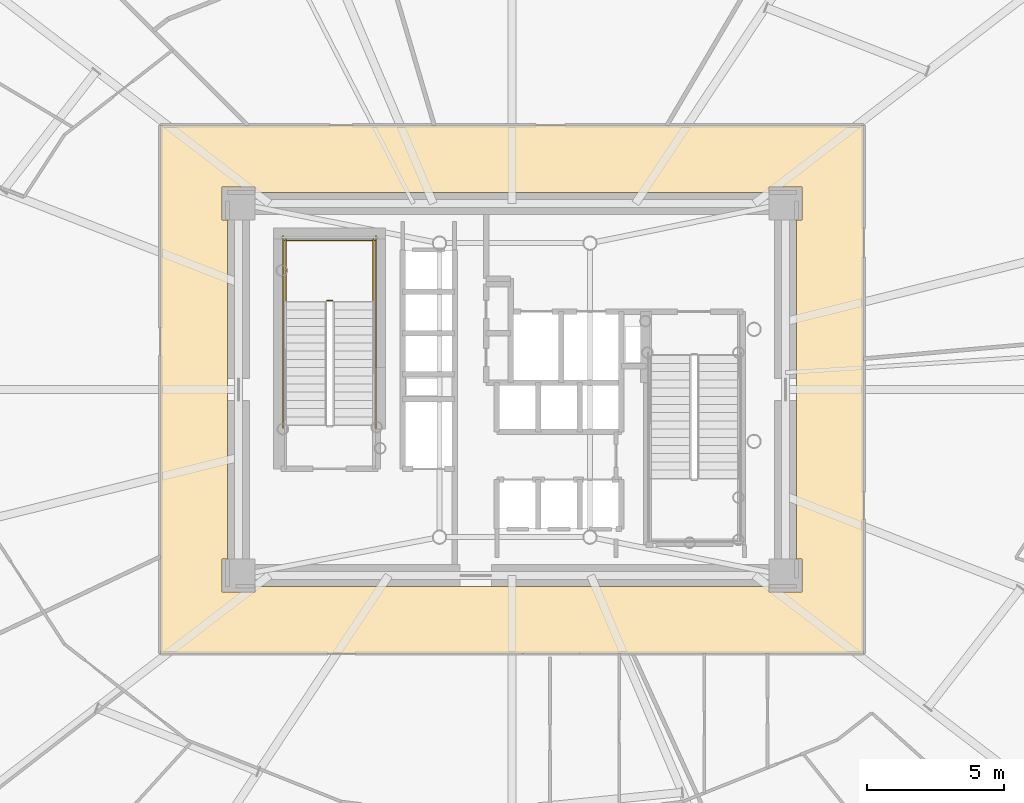
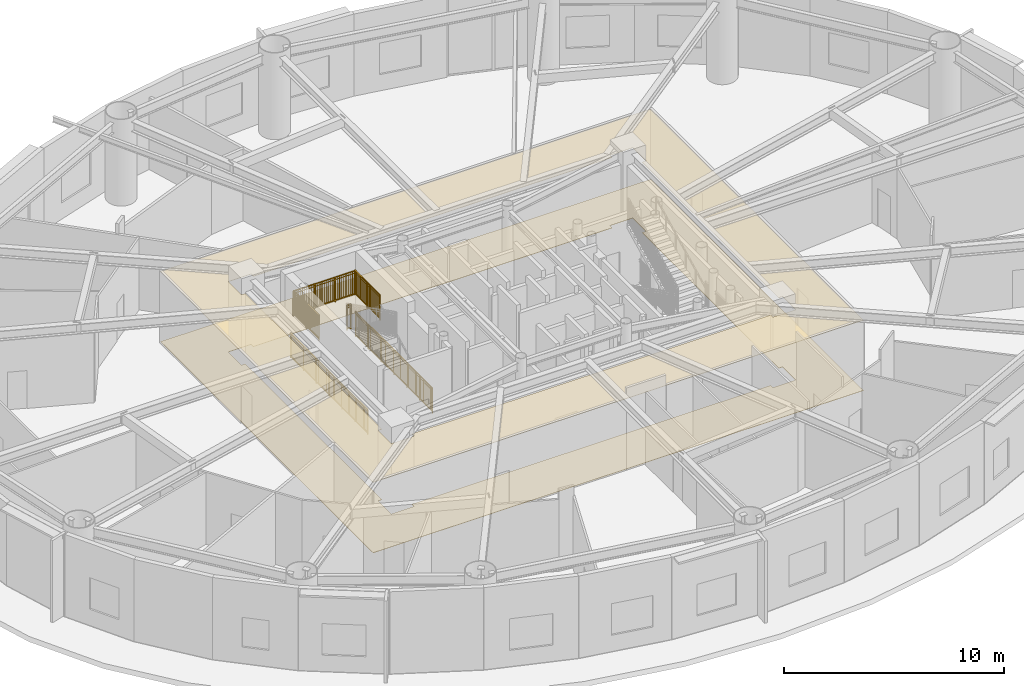
# One storey, part 15 of 19: 6 railings, 2 coverings.
"""IFC4 building model written with IfcOpenShell, lengths in metres."""

from ifc_helpers import new_model, si_unit, direction, frame, origin, origin_2d, place, context, subcontext, project, spatial, polyline, rectangle, outline, extrude, source, transform, mapped, material, layer, layer_set, type_object, element, save


model = new_model("IFC4")

# Units and contexts
model_context = context("Model", 3, precision=1e-05, world=origin(), true_north=direction((0.0, 1.0)))
body_context = subcontext(model_context, "Body", "Model", "MODEL_VIEW")
ifc_project = project(units=[si_unit("LENGTHUNIT", "METRE"), si_unit("AREAUNIT", "SQUARE_METRE"), si_unit("VOLUMEUNIT", "CUBIC_METRE"), si_unit("PLANEANGLEUNIT", "RADIAN"), si_unit("MASSUNIT", "GRAM", prefix="KILO")], contexts=[model_context])

# Site, building, storey
site_placement = place(None, origin())
site = spatial("IfcSite", under=ifc_project, at=site_placement, CompositionType="ELEMENT")
building_placement = place(site_placement, origin())
building = spatial("IfcBuilding", under=site, at=building_placement, Name="Linh Dai School and Residence Tower", CompositionType="ELEMENT")
storey_placement = place(building_placement, frame((0.0, 0.0, 92.39990234375)))
storey = spatial("IfcBuildingStorey", under=building, at=storey_placement, Name="L21", CompositionType="ELEMENT", Elevation=92.39990234375)

# Coverings
ifc_material_1 = material(Name="Mineral Fibre Acoustic Suspended Ceiling", Category="masonry")
ifc_layer_1 = layer(ifc_material_1, 0.02001953125)
ifc_layer_set_1 = layer_set([ifc_layer_1], Name="Mineral Fibre Acoustic Suspended Ceiling")
covering_type_1 = type_object("IfcCoveringType", Name="COV-CEIL-AC-20", PredefinedType="CEILING", material=ifc_layer_set_1)
covering_1_placement = place(storey_placement, frame((0.0, 0.0, 3.900146484375)))
element("IfcCovering", 1, at=covering_1_placement, inside=storey, type_object=covering_type_1, Name="L21 Residential Floor Corridor Suspended Ceiling", PredefinedType="CEILING", context=body_context, shape_type="SweptSolid", body=[
    extrude(outline(polyline([(48.85009765625, 36.64990234375), (48.85009765625, 17.35009765625), (23.14990234375, 17.35009765625), (23.14990234375, 36.64990234375), (48.85009765625, 36.64990234375)]), holes=[polyline([(26.60009765625, 34.199951171875), (26.60009765625, 34.39990234375), (25.39990234375, 34.39990234375), (25.39990234375, 33.199951171875), (25.60009765625, 33.199951171875), (25.60009765625, 20.800048828125), (25.39990234375, 20.800048828125), (25.39990234375, 19.60009765625), (26.60009765625, 19.60009765625), (26.60009765625, 19.800048828125), (45.39990234375, 19.800048828125), (45.39990234375, 19.60009765625), (46.60009765625, 19.60009765625), (46.60009765625, 20.800048828125), (46.39990234375, 20.800048828125), (46.39990234375, 33.199951171875), (46.60009765625, 33.199951171875), (46.60009765625, 34.39990234375), (45.39990234375, 34.39990234375), (45.39990234375, 34.199951171875), (26.60009765625, 34.199951171875)])]), origin(), (0.0, 0.0, 1.0), 0.02001953125),
])
ifc_material_2 = material(Name="Polished Terrazzo Floor Finish", Category="masonry")
ifc_layer_2 = layer(ifc_material_2, 0.02490234375)
ifc_layer_set_2 = layer_set([ifc_layer_2], Name="Polished Terrazzo Floor Finish")
covering_type_2 = type_object("IfcCoveringType", Name="COV-FLR-TRZ-25", PredefinedType="FLOORING", material=ifc_layer_set_2)
covering_2_placement = place(storey_placement, origin())
element("IfcCovering", 2, at=covering_2_placement, inside=storey, type_object=covering_type_2, Name="L21 Residential Floor Corridor Floor Finish", PredefinedType="FLOORING", context=body_context, shape_type="SweptSolid", body=[
    extrude(outline(polyline([(48.85009765625, 36.64990234375), (48.85009765625, 17.35009765625), (23.14990234375, 17.35009765625), (23.14990234375, 36.64990234375), (48.85009765625, 36.64990234375)]), holes=[polyline([(26.60009765625, 34.199951171875), (26.60009765625, 34.39990234375), (25.39990234375, 34.39990234375), (25.39990234375, 33.199951171875), (25.60009765625, 33.199951171875), (25.60009765625, 20.800048828125), (25.39990234375, 20.800048828125), (25.39990234375, 19.60009765625), (26.60009765625, 19.60009765625), (26.60009765625, 19.800048828125), (45.39990234375, 19.800048828125), (45.39990234375, 19.60009765625), (46.60009765625, 19.60009765625), (46.60009765625, 20.800048828125), (46.39990234375, 20.800048828125), (46.39990234375, 33.199951171875), (46.60009765625, 33.199951171875), (46.60009765625, 34.39990234375), (45.39990234375, 34.39990234375), (45.39990234375, 34.199951171875), (26.60009765625, 34.199951171875)])]), origin(), (0.0, 0.0, 1.0), 0.02001953125),
])

# Railings
ifc_material_3 = material(Name="Structural Steel S355JR", Category="steel")
railing_type = type_object("IfcRailingType", Name="RL-ST-GUARD-1400", PredefinedType="GUARDRAIL", material=ifc_material_3)
shared_shape_1 = source(origin(), body_context, "Body", "SweptSolid", [
    extrude(rectangle(XDim=0.048095703125, YDim=0.048095703125, at=origin_2d()), frame((0.0, 0.0, 1.3759765625), z_axis=(-1.0, 0.0, 0.0), x_axis=(0.0, -1.0, 0.0)), (0.0, 0.0, 1.0), 0.199951171875),
    extrude(rectangle(XDim=0.048095703125, YDim=0.048095703125, at=origin_2d()), frame((0.0, 0.0, 0.10009765625), z_axis=(-1.0, 0.0, 0.0), x_axis=(0.0, -1.0, 0.0)), (0.0, 0.0, 1.0), 0.199951171875),
    extrude(rectangle(XDim=0.030029296875, YDim=0.030029296875, at=origin_2d()), frame((0.0, 0.0, 1.239990234375), z_axis=(-1.0, 0.0, 0.0), x_axis=(0.0, -1.0, 0.0)), (0.0, 0.0, 1.0), 0.199951171875),
    extrude(rectangle(XDim=0.0419921875, YDim=0.0419921875, at=origin_2d()), origin(), (0.0, 0.0, 1.0), 1.3759765625),
    extrude(rectangle(XDim=0.0419921875, YDim=0.0419921875, at=origin_2d()), frame((-0.199951171875, 0.0, 0.0)), (0.0, 0.0, 1.0), 1.3759765625),
])
railing_1_placement = place(storey_placement, frame((29.429931640625, 30.25, 2.400146484375)))
element("IfcRailing", 3, at=railing_1_placement, inside=storey, type_object=railing_type, Name="L21 ST1 stair guard 2", PredefinedType="GUARDRAIL", context=body_context, shape_type="MappedRepresentation", body=[
    mapped(shared_shape_1, transform((0.0, 0.0, 0.0), x_axis=(1.0, 0.0, 0.0), y_axis=(0.0, 1.0, 0.0), z_axis=(0.0, 0.0, 1.0), scale=1.0)),
])
shared_shape_2 = source(origin(), body_context, "Body", "SweptSolid", [
    extrude(rectangle(XDim=0.048095703125, YDim=0.048095703125, at=origin_2d()), frame((0.0, 0.0, 1.3759765625), z_axis=(-1.0, 0.0, 0.0), x_axis=(0.0, -1.0, 0.0)), (0.0, 0.0, 1.0), 3.300048828125),
    extrude(rectangle(XDim=0.048095703125, YDim=0.048095703125, at=origin_2d()), frame((0.0, 0.0, 0.10009765625), z_axis=(-1.0, 0.0, 0.0), x_axis=(0.0, -1.0, 0.0)), (0.0, 0.0, 1.0), 3.300048828125),
    extrude(rectangle(XDim=0.030029296875, YDim=0.030029296875, at=origin_2d()), frame((0.0, 0.0, 1.239990234375), z_axis=(-1.0, 0.0, 0.0), x_axis=(0.0, -1.0, 0.0)), (0.0, 0.0, 1.0), 3.300048828125),
    extrude(rectangle(XDim=0.02001953125, YDim=0.02001953125, at=origin_2d()), frame((-0.09716796875, 0.0, 0.10009765625)), (0.0, 0.0, 1.0), 1.251708984375),
    extrude(rectangle(XDim=0.02001953125, YDim=0.02001953125, at=origin_2d()), frame((-0.194091796875, 0.0, 0.10009765625)), (0.0, 0.0, 1.0), 1.251708984375),
    extrude(rectangle(XDim=0.02001953125, YDim=0.02001953125, at=origin_2d()), frame((-0.291259765625, 0.0, 0.10009765625)), (0.0, 0.0, 1.0), 1.251708984375),
    extrude(rectangle(XDim=0.02001953125, YDim=0.02001953125, at=origin_2d()), frame((-0.38818359375, 0.0, 0.10009765625)), (0.0, 0.0, 1.0), 1.251708984375),
    extrude(rectangle(XDim=0.02001953125, YDim=0.02001953125, at=origin_2d()), frame((-0.4853515625, 0.0, 0.10009765625)), (0.0, 0.0, 1.0), 1.251708984375),
    extrude(rectangle(XDim=0.02001953125, YDim=0.02001953125, at=origin_2d()), frame((-0.582275390625, 0.0, 0.10009765625)), (0.0, 0.0, 1.0), 1.251708984375),
    extrude(rectangle(XDim=0.02001953125, YDim=0.02001953125, at=origin_2d()), frame((-0.679443359375, 0.0, 0.10009765625)), (0.0, 0.0, 1.0), 1.251708984375),
    extrude(rectangle(XDim=0.02001953125, YDim=0.02001953125, at=origin_2d()), frame((-0.7763671875, 0.0, 0.10009765625)), (0.0, 0.0, 1.0), 1.251708984375),
    extrude(rectangle(XDim=0.02001953125, YDim=0.02001953125, at=origin_2d()), frame((-0.87353515625, 0.0, 0.10009765625)), (0.0, 0.0, 1.0), 1.251708984375),
    extrude(rectangle(XDim=0.02001953125, YDim=0.02001953125, at=origin_2d()), frame((-0.970703125, 0.0, 0.10009765625)), (0.0, 0.0, 1.0), 1.251708984375),
    extrude(rectangle(XDim=0.02001953125, YDim=0.02001953125, at=origin_2d()), frame((-1.164794921875, 0.0, 0.10009765625)), (0.0, 0.0, 1.0), 1.251708984375),
    extrude(rectangle(XDim=0.02001953125, YDim=0.02001953125, at=origin_2d()), frame((-1.26171875, 0.0, 0.10009765625)), (0.0, 0.0, 1.0), 1.251708984375),
    extrude(rectangle(XDim=0.02001953125, YDim=0.02001953125, at=origin_2d()), frame((-1.35888671875, 0.0, 0.10009765625)), (0.0, 0.0, 1.0), 1.251708984375),
    extrude(rectangle(XDim=0.02001953125, YDim=0.02001953125, at=origin_2d()), frame((-1.455810546875, 0.0, 0.10009765625)), (0.0, 0.0, 1.0), 1.251708984375),
    extrude(rectangle(XDim=0.02001953125, YDim=0.02001953125, at=origin_2d()), frame((-1.552978515625, 0.0, 0.10009765625)), (0.0, 0.0, 1.0), 1.251708984375),
    extrude(rectangle(XDim=0.02001953125, YDim=0.02001953125, at=origin_2d()), frame((-1.64990234375, 0.0, 0.10009765625)), (0.0, 0.0, 1.0), 1.251708984375),
    extrude(rectangle(XDim=0.02001953125, YDim=0.02001953125, at=origin_2d()), frame((-1.7470703125, 0.0, 0.10009765625)), (0.0, 0.0, 1.0), 1.251708984375),
    extrude(rectangle(XDim=0.02001953125, YDim=0.02001953125, at=origin_2d()), frame((-1.84423828125, 0.0, 0.10009765625)), (0.0, 0.0, 1.0), 1.251708984375),
    extrude(rectangle(XDim=0.02001953125, YDim=0.02001953125, at=origin_2d()), frame((-1.941162109375, 0.0, 0.10009765625)), (0.0, 0.0, 1.0), 1.251708984375),
    extrude(rectangle(XDim=0.02001953125, YDim=0.02001953125, at=origin_2d()), frame((-2.038330078125, 0.0, 0.10009765625)), (0.0, 0.0, 1.0), 1.251708984375),
    extrude(rectangle(XDim=0.02001953125, YDim=0.02001953125, at=origin_2d()), frame((-2.13525390625, 0.0, 0.10009765625)), (0.0, 0.0, 1.0), 1.251708984375),
    extrude(rectangle(XDim=0.02001953125, YDim=0.02001953125, at=origin_2d()), frame((-2.329345703125, 0.0, 0.10009765625)), (0.0, 0.0, 1.0), 1.251708984375),
    extrude(rectangle(XDim=0.02001953125, YDim=0.02001953125, at=origin_2d()), frame((-2.426513671875, 0.0, 0.10009765625)), (0.0, 0.0, 1.0), 1.251708984375),
    extrude(rectangle(XDim=0.02001953125, YDim=0.02001953125, at=origin_2d()), frame((-2.523681640625, 0.0, 0.10009765625)), (0.0, 0.0, 1.0), 1.251708984375),
    extrude(rectangle(XDim=0.02001953125, YDim=0.02001953125, at=origin_2d()), frame((-2.62060546875, 0.0, 0.10009765625)), (0.0, 0.0, 1.0), 1.251708984375),
    extrude(rectangle(XDim=0.02001953125, YDim=0.02001953125, at=origin_2d()), frame((-2.7177734375, 0.0, 0.10009765625)), (0.0, 0.0, 1.0), 1.251708984375),
    extrude(rectangle(XDim=0.02001953125, YDim=0.02001953125, at=origin_2d()), frame((-2.814697265625, 0.0, 0.10009765625)), (0.0, 0.0, 1.0), 1.251708984375),
    extrude(rectangle(XDim=0.02001953125, YDim=0.02001953125, at=origin_2d()), frame((-2.911865234375, 0.0, 0.10009765625)), (0.0, 0.0, 1.0), 1.251708984375),
    extrude(rectangle(XDim=0.02001953125, YDim=0.02001953125, at=origin_2d()), frame((-3.0087890625, 0.0, 0.10009765625)), (0.0, 0.0, 1.0), 1.251708984375),
    extrude(rectangle(XDim=0.02001953125, YDim=0.02001953125, at=origin_2d()), frame((-3.10595703125, 0.0, 0.10009765625)), (0.0, 0.0, 1.0), 1.251708984375),
    extrude(rectangle(XDim=0.02001953125, YDim=0.02001953125, at=origin_2d()), frame((-3.202880859375, 0.0, 0.10009765625)), (0.0, 0.0, 1.0), 1.251708984375),
    extrude(rectangle(XDim=0.0419921875, YDim=0.0419921875, at=origin_2d()), origin(), (0.0, 0.0, 1.0), 1.3759765625),
    extrude(rectangle(XDim=0.0419921875, YDim=0.0419921875, at=origin_2d()), frame((-1.10009765625, 0.0, 0.0)), (0.0, 0.0, 1.0), 1.3759765625),
    extrude(rectangle(XDim=0.0419921875, YDim=0.0419921875, at=origin_2d()), frame((-2.199951171875, 0.0, 0.0)), (0.0, 0.0, 1.0), 1.3759765625),
    extrude(rectangle(XDim=0.0419921875, YDim=0.0419921875, at=origin_2d()), frame((-3.300048828125, 0.0, 0.0)), (0.0, 0.0, 1.0), 1.3759765625),
])
railing_2_placement = place(storey_placement, frame((30.97998046875, 32.449951171875, 2.400146484375)))
element("IfcRailing", 4, at=railing_2_placement, inside=storey, type_object=railing_type, Name="L21 ST1 stair guard 5", PredefinedType="GUARDRAIL", context=body_context, shape_type="MappedRepresentation", body=[
    mapped(shared_shape_2, transform((0.0, 0.0, 0.0), x_axis=(1.0, 0.0, 0.0), y_axis=(0.0, 1.0, 0.0), z_axis=(0.0, 0.0, 1.0), scale=1.0)),
])
shared_shape_3 = source(origin(), body_context, "Body", "SweptSolid", [
    extrude(rectangle(XDim=0.048095703125, YDim=0.048095703125, at=origin_2d()), frame((0.0, 0.0, 1.3759765625), z_axis=(0.0, 1.0, 0.0), x_axis=(-1.0, 0.0, 0.0)), (0.0, 0.0, 1.0), 7.0),
    extrude(rectangle(XDim=0.048095703125, YDim=0.048095703125, at=origin_2d()), frame((0.0, 0.0, 0.10009765625), z_axis=(0.0, 1.0, 0.0), x_axis=(-1.0, 0.0, 0.0)), (0.0, 0.0, 1.0), 7.0),
    extrude(rectangle(XDim=0.030029296875, YDim=0.030029296875, at=origin_2d()), frame((0.0, 0.0, 1.239990234375), z_axis=(0.0, 1.0, 0.0), x_axis=(-1.0, 0.0, 0.0)), (0.0, 0.0, 1.0), 7.0),
    extrude(rectangle(XDim=0.02001953125, YDim=0.02001953125, at=origin_2d()), frame((0.0, 0.09716796875, 0.10009765625)), (0.0, 0.0, 1.0), 1.251708984375),
    extrude(rectangle(XDim=0.02001953125, YDim=0.02001953125, at=origin_2d()), frame((0.0, 0.1943359375, 0.10009765625)), (0.0, 0.0, 1.0), 1.251708984375),
    extrude(rectangle(XDim=0.02001953125, YDim=0.02001953125, at=origin_2d()), frame((0.0, 0.291748046875, 0.10009765625)), (0.0, 0.0, 1.0), 1.251708984375),
    extrude(rectangle(XDim=0.02001953125, YDim=0.02001953125, at=origin_2d()), frame((0.0, 0.388916015625, 0.10009765625)), (0.0, 0.0, 1.0), 1.251708984375),
    extrude(rectangle(XDim=0.02001953125, YDim=0.02001953125, at=origin_2d()), frame((0.0, 0.486083984375, 0.10009765625)), (0.0, 0.0, 1.0), 1.251708984375),
    extrude(rectangle(XDim=0.02001953125, YDim=0.02001953125, at=origin_2d()), frame((0.0, 0.583251953125, 0.10009765625)), (0.0, 0.0, 1.0), 1.251708984375),
    extrude(rectangle(XDim=0.02001953125, YDim=0.02001953125, at=origin_2d()), frame((0.0, 0.6806640625, 0.10009765625)), (0.0, 0.0, 1.0), 1.251708984375),
    extrude(rectangle(XDim=0.02001953125, YDim=0.02001953125, at=origin_2d()), frame((0.0, 0.77783203125, 0.10009765625)), (0.0, 0.0, 1.0), 1.251708984375),
    extrude(rectangle(XDim=0.02001953125, YDim=0.02001953125, at=origin_2d()), frame((0.0, 0.875, 0.10009765625)), (0.0, 0.0, 1.0), 1.251708984375),
    extrude(rectangle(XDim=0.02001953125, YDim=0.02001953125, at=origin_2d()), frame((0.0, 0.97216796875, 0.10009765625)), (0.0, 0.0, 1.0), 1.251708984375),
    extrude(rectangle(XDim=0.02001953125, YDim=0.02001953125, at=origin_2d()), frame((0.0, 1.0693359375, 0.10009765625)), (0.0, 0.0, 1.0), 1.251708984375),
    extrude(rectangle(XDim=0.02001953125, YDim=0.02001953125, at=origin_2d()), frame((0.0, 1.263916015625, 0.10009765625)), (0.0, 0.0, 1.0), 1.251708984375),
    extrude(rectangle(XDim=0.02001953125, YDim=0.02001953125, at=origin_2d()), frame((0.0, 1.361083984375, 0.10009765625)), (0.0, 0.0, 1.0), 1.251708984375),
    extrude(rectangle(XDim=0.02001953125, YDim=0.02001953125, at=origin_2d()), frame((0.0, 1.458251953125, 0.10009765625)), (0.0, 0.0, 1.0), 1.251708984375),
    extrude(rectangle(XDim=0.02001953125, YDim=0.02001953125, at=origin_2d()), frame((0.0, 1.5556640625, 0.10009765625)), (0.0, 0.0, 1.0), 1.251708984375),
    extrude(rectangle(XDim=0.02001953125, YDim=0.02001953125, at=origin_2d()), frame((0.0, 1.65283203125, 0.10009765625)), (0.0, 0.0, 1.0), 1.251708984375),
    extrude(rectangle(XDim=0.02001953125, YDim=0.02001953125, at=origin_2d()), frame((0.0, 1.75, 0.10009765625)), (0.0, 0.0, 1.0), 1.251708984375),
    extrude(rectangle(XDim=0.02001953125, YDim=0.02001953125, at=origin_2d()), frame((0.0, 1.84716796875, 0.10009765625)), (0.0, 0.0, 1.0), 1.251708984375),
    extrude(rectangle(XDim=0.02001953125, YDim=0.02001953125, at=origin_2d()), frame((0.0, 1.9443359375, 0.10009765625)), (0.0, 0.0, 1.0), 1.251708984375),
    extrude(rectangle(XDim=0.02001953125, YDim=0.02001953125, at=origin_2d()), frame((0.0, 2.041748046875, 0.10009765625)), (0.0, 0.0, 1.0), 1.251708984375),
    extrude(rectangle(XDim=0.02001953125, YDim=0.02001953125, at=origin_2d()), frame((0.0, 2.138916015625, 0.10009765625)), (0.0, 0.0, 1.0), 1.251708984375),
    extrude(rectangle(XDim=0.02001953125, YDim=0.02001953125, at=origin_2d()), frame((0.0, 2.236083984375, 0.10009765625)), (0.0, 0.0, 1.0), 1.251708984375),
    extrude(rectangle(XDim=0.02001953125, YDim=0.02001953125, at=origin_2d()), frame((0.0, 2.4306640625, 0.10009765625)), (0.0, 0.0, 1.0), 1.251708984375),
    extrude(rectangle(XDim=0.02001953125, YDim=0.02001953125, at=origin_2d()), frame((0.0, 2.52783203125, 0.10009765625)), (0.0, 0.0, 1.0), 1.251708984375),
    extrude(rectangle(XDim=0.02001953125, YDim=0.02001953125, at=origin_2d()), frame((0.0, 2.625, 0.10009765625)), (0.0, 0.0, 1.0), 1.251708984375),
    extrude(rectangle(XDim=0.02001953125, YDim=0.02001953125, at=origin_2d()), frame((0.0, 2.72216796875, 0.10009765625)), (0.0, 0.0, 1.0), 1.251708984375),
    extrude(rectangle(XDim=0.02001953125, YDim=0.02001953125, at=origin_2d()), frame((0.0, 2.8193359375, 0.10009765625)), (0.0, 0.0, 1.0), 1.251708984375),
    extrude(rectangle(XDim=0.02001953125, YDim=0.02001953125, at=origin_2d()), frame((0.0, 2.916748046875, 0.10009765625)), (0.0, 0.0, 1.0), 1.251708984375),
    extrude(rectangle(XDim=0.02001953125, YDim=0.02001953125, at=origin_2d()), frame((0.0, 3.013916015625, 0.10009765625)), (0.0, 0.0, 1.0), 1.251708984375),
    extrude(rectangle(XDim=0.02001953125, YDim=0.02001953125, at=origin_2d()), frame((0.0, 3.111083984375, 0.10009765625)), (0.0, 0.0, 1.0), 1.251708984375),
    extrude(rectangle(XDim=0.02001953125, YDim=0.02001953125, at=origin_2d()), frame((0.0, 3.208251953125, 0.10009765625)), (0.0, 0.0, 1.0), 1.251708984375),
    extrude(rectangle(XDim=0.02001953125, YDim=0.02001953125, at=origin_2d()), frame((0.0, 3.3056640625, 0.10009765625)), (0.0, 0.0, 1.0), 1.251708984375),
    extrude(rectangle(XDim=0.02001953125, YDim=0.02001953125, at=origin_2d()), frame((0.0, 3.40283203125, 0.10009765625)), (0.0, 0.0, 1.0), 1.251708984375),
    extrude(rectangle(XDim=0.02001953125, YDim=0.02001953125, at=origin_2d()), frame((0.0, 3.59716796875, 0.10009765625)), (0.0, 0.0, 1.0), 1.251708984375),
    extrude(rectangle(XDim=0.02001953125, YDim=0.02001953125, at=origin_2d()), frame((0.0, 3.6943359375, 0.10009765625)), (0.0, 0.0, 1.0), 1.251708984375),
    extrude(rectangle(XDim=0.02001953125, YDim=0.02001953125, at=origin_2d()), frame((0.0, 3.791748046875, 0.10009765625)), (0.0, 0.0, 1.0), 1.251708984375),
    extrude(rectangle(XDim=0.02001953125, YDim=0.02001953125, at=origin_2d()), frame((0.0, 3.888916015625, 0.10009765625)), (0.0, 0.0, 1.0), 1.251708984375),
    extrude(rectangle(XDim=0.02001953125, YDim=0.02001953125, at=origin_2d()), frame((0.0, 3.986083984375, 0.10009765625)), (0.0, 0.0, 1.0), 1.251708984375),
    extrude(rectangle(XDim=0.02001953125, YDim=0.02001953125, at=origin_2d()), frame((0.0, 4.083251953125, 0.10009765625)), (0.0, 0.0, 1.0), 1.251708984375),
    extrude(rectangle(XDim=0.02001953125, YDim=0.02001953125, at=origin_2d()), frame((0.0, 4.1806640625, 0.10009765625)), (0.0, 0.0, 1.0), 1.251708984375),
    extrude(rectangle(XDim=0.02001953125, YDim=0.02001953125, at=origin_2d()), frame((0.0, 4.27783203125, 0.10009765625)), (0.0, 0.0, 1.0), 1.251708984375),
    extrude(rectangle(XDim=0.02001953125, YDim=0.02001953125, at=origin_2d()), frame((0.0, 4.375, 0.10009765625)), (0.0, 0.0, 1.0), 1.251708984375),
    extrude(rectangle(XDim=0.02001953125, YDim=0.02001953125, at=origin_2d()), frame((0.0, 4.47216796875, 0.10009765625)), (0.0, 0.0, 1.0), 1.251708984375),
    extrude(rectangle(XDim=0.02001953125, YDim=0.02001953125, at=origin_2d()), frame((0.0, 4.5693359375, 0.10009765625)), (0.0, 0.0, 1.0), 1.251708984375),
    extrude(rectangle(XDim=0.02001953125, YDim=0.02001953125, at=origin_2d()), frame((0.0, 4.763916015625, 0.10009765625)), (0.0, 0.0, 1.0), 1.251708984375),
    extrude(rectangle(XDim=0.02001953125, YDim=0.02001953125, at=origin_2d()), frame((0.0, 4.861083984375, 0.10009765625)), (0.0, 0.0, 1.0), 1.251708984375),
    extrude(rectangle(XDim=0.02001953125, YDim=0.02001953125, at=origin_2d()), frame((0.0, 4.958251953125, 0.10009765625)), (0.0, 0.0, 1.0), 1.251708984375),
    extrude(rectangle(XDim=0.02001953125, YDim=0.02001953125, at=origin_2d()), frame((0.0, 5.0556640625, 0.10009765625)), (0.0, 0.0, 1.0), 1.251708984375),
    extrude(rectangle(XDim=0.02001953125, YDim=0.02001953125, at=origin_2d()), frame((0.0, 5.15283203125, 0.10009765625)), (0.0, 0.0, 1.0), 1.251708984375),
    extrude(rectangle(XDim=0.02001953125, YDim=0.02001953125, at=origin_2d()), frame((0.0, 5.25, 0.10009765625)), (0.0, 0.0, 1.0), 1.251708984375),
    extrude(rectangle(XDim=0.02001953125, YDim=0.02001953125, at=origin_2d()), frame((0.0, 5.34716796875, 0.10009765625)), (0.0, 0.0, 1.0), 1.251708984375),
    extrude(rectangle(XDim=0.02001953125, YDim=0.02001953125, at=origin_2d()), frame((0.0, 5.4443359375, 0.10009765625)), (0.0, 0.0, 1.0), 1.251708984375),
    extrude(rectangle(XDim=0.02001953125, YDim=0.02001953125, at=origin_2d()), frame((0.0, 5.541748046875, 0.10009765625)), (0.0, 0.0, 1.0), 1.251708984375),
    extrude(rectangle(XDim=0.02001953125, YDim=0.02001953125, at=origin_2d()), frame((0.0, 5.638916015625, 0.10009765625)), (0.0, 0.0, 1.0), 1.251708984375),
    extrude(rectangle(XDim=0.02001953125, YDim=0.02001953125, at=origin_2d()), frame((0.0, 5.736083984375, 0.10009765625)), (0.0, 0.0, 1.0), 1.251708984375),
    extrude(rectangle(XDim=0.02001953125, YDim=0.02001953125, at=origin_2d()), frame((0.0, 5.9306640625, 0.10009765625)), (0.0, 0.0, 1.0), 1.251708984375),
    extrude(rectangle(XDim=0.02001953125, YDim=0.02001953125, at=origin_2d()), frame((0.0, 6.02783203125, 0.10009765625)), (0.0, 0.0, 1.0), 1.251708984375),
    extrude(rectangle(XDim=0.02001953125, YDim=0.02001953125, at=origin_2d()), frame((0.0, 6.125, 0.10009765625)), (0.0, 0.0, 1.0), 1.251708984375),
    extrude(rectangle(XDim=0.02001953125, YDim=0.02001953125, at=origin_2d()), frame((0.0, 6.22216796875, 0.10009765625)), (0.0, 0.0, 1.0), 1.251708984375),
    extrude(rectangle(XDim=0.02001953125, YDim=0.02001953125, at=origin_2d()), frame((0.0, 6.3193359375, 0.10009765625)), (0.0, 0.0, 1.0), 1.251708984375),
    extrude(rectangle(XDim=0.02001953125, YDim=0.02001953125, at=origin_2d()), frame((0.0, 6.416748046875, 0.10009765625)), (0.0, 0.0, 1.0), 1.251708984375),
    extrude(rectangle(XDim=0.02001953125, YDim=0.02001953125, at=origin_2d()), frame((0.0, 6.513916015625, 0.10009765625)), (0.0, 0.0, 1.0), 1.251708984375),
    extrude(rectangle(XDim=0.02001953125, YDim=0.02001953125, at=origin_2d()), frame((0.0, 6.611083984375, 0.10009765625)), (0.0, 0.0, 1.0), 1.251708984375),
    extrude(rectangle(XDim=0.02001953125, YDim=0.02001953125, at=origin_2d()), frame((0.0, 6.708251953125, 0.10009765625)), (0.0, 0.0, 1.0), 1.251708984375),
    extrude(rectangle(XDim=0.02001953125, YDim=0.02001953125, at=origin_2d()), frame((0.0, 6.8056640625, 0.10009765625)), (0.0, 0.0, 1.0), 1.251708984375),
    extrude(rectangle(XDim=0.02001953125, YDim=0.02001953125, at=origin_2d()), frame((0.0, 6.90283203125, 0.10009765625)), (0.0, 0.0, 1.0), 1.251708984375),
    extrude(rectangle(XDim=0.0419921875, YDim=0.0419921875, at=origin_2d()), origin(), (0.0, 0.0, 1.0), 1.3759765625),
    extrude(rectangle(XDim=0.0419921875, YDim=0.0419921875, at=origin_2d()), frame((0.0, 1.166748046875, 0.0)), (0.0, 0.0, 1.0), 1.3759765625),
    extrude(rectangle(XDim=0.0419921875, YDim=0.0419921875, at=origin_2d()), frame((0.0, 2.333251953125, 0.0)), (0.0, 0.0, 1.0), 1.3759765625),
    extrude(rectangle(XDim=0.0419921875, YDim=0.0419921875, at=origin_2d()), frame((0.0, 3.5, 0.0)), (0.0, 0.0, 1.0), 1.3759765625),
    extrude(rectangle(XDim=0.0419921875, YDim=0.0419921875, at=origin_2d()), frame((0.0, 4.666748046875, 0.0)), (0.0, 0.0, 1.0), 1.3759765625),
    extrude(rectangle(XDim=0.0419921875, YDim=0.0419921875, at=origin_2d()), frame((0.0, 5.833251953125, 0.0)), (0.0, 0.0, 1.0), 1.3759765625),
    extrude(rectangle(XDim=0.0419921875, YDim=0.0419921875, at=origin_2d()), frame((0.0, 7.0, 0.0)), (0.0, 0.0, 1.0), 1.3759765625),
])
for number, where, name in (
    (5, (31.030029296875, 25.60009765625, 0.0), "L21 ST1 stair guard 10"),
    (6, (27.6298828125, 25.60009765625, 0.0), "L21 ST1 stair guard 11"),
):
    element("IfcRailing", number, at=place(storey_placement, frame(where)), inside=storey, type_object=railing_type, Name=name, PredefinedType="GUARDRAIL", context=body_context, shape_type="MappedRepresentation", body=[
        mapped(shared_shape_3, transform((0.0, 0.0, 0.0), x_axis=(1.0, 0.0, 0.0), y_axis=(0.0, 1.0, 0.0), z_axis=(0.0, 0.0, 1.0), scale=1.0)),
    ])
shared_shape_4 = source(origin(), body_context, "Body", "SweptSolid", [
    extrude(rectangle(XDim=0.048095703125, YDim=0.048095703125, at=origin_2d()), frame((0.0, 0.0, 1.3759765625), z_axis=(0.0, 1.0, 0.0), x_axis=(-1.0, 0.0, 0.0)), (0.0, 0.0, 1.0), 2.300048828125),
    extrude(rectangle(XDim=0.048095703125, YDim=0.048095703125, at=origin_2d()), frame((0.0, 0.0, 0.10009765625), z_axis=(0.0, 1.0, 0.0), x_axis=(-1.0, 0.0, 0.0)), (0.0, 0.0, 1.0), 2.300048828125),
    extrude(rectangle(XDim=0.030029296875, YDim=0.030029296875, at=origin_2d()), frame((0.0, 0.0, 1.239990234375), z_axis=(0.0, 1.0, 0.0), x_axis=(-1.0, 0.0, 0.0)), (0.0, 0.0, 1.0), 2.300048828125),
    extrude(rectangle(XDim=0.02001953125, YDim=0.02001953125, at=origin_2d()), frame((0.0, 0.095947265625, 0.10009765625)), (0.0, 0.0, 1.0), 1.251708984375),
    extrude(rectangle(XDim=0.02001953125, YDim=0.02001953125, at=origin_2d()), frame((0.0, 0.191650390625, 0.10009765625)), (0.0, 0.0, 1.0), 1.251708984375),
    extrude(rectangle(XDim=0.02001953125, YDim=0.02001953125, at=origin_2d()), frame((0.0, 0.28759765625, 0.10009765625)), (0.0, 0.0, 1.0), 1.251708984375),
    extrude(rectangle(XDim=0.02001953125, YDim=0.02001953125, at=origin_2d()), frame((0.0, 0.38330078125, 0.10009765625)), (0.0, 0.0, 1.0), 1.251708984375),
    extrude(rectangle(XDim=0.02001953125, YDim=0.02001953125, at=origin_2d()), frame((0.0, 0.479248046875, 0.10009765625)), (0.0, 0.0, 1.0), 1.251708984375),
    extrude(rectangle(XDim=0.02001953125, YDim=0.02001953125, at=origin_2d()), frame((0.0, 0.574951171875, 0.10009765625)), (0.0, 0.0, 1.0), 1.251708984375),
    extrude(rectangle(XDim=0.02001953125, YDim=0.02001953125, at=origin_2d()), frame((0.0, 0.6708984375, 0.10009765625)), (0.0, 0.0, 1.0), 1.251708984375),
    extrude(rectangle(XDim=0.02001953125, YDim=0.02001953125, at=origin_2d()), frame((0.0, 0.7666015625, 0.10009765625)), (0.0, 0.0, 1.0), 1.251708984375),
    extrude(rectangle(XDim=0.02001953125, YDim=0.02001953125, at=origin_2d()), frame((0.0, 0.862548828125, 0.10009765625)), (0.0, 0.0, 1.0), 1.251708984375),
    extrude(rectangle(XDim=0.02001953125, YDim=0.02001953125, at=origin_2d()), frame((0.0, 0.958251953125, 0.10009765625)), (0.0, 0.0, 1.0), 1.251708984375),
    extrude(rectangle(XDim=0.02001953125, YDim=0.02001953125, at=origin_2d()), frame((0.0, 1.05419921875, 0.10009765625)), (0.0, 0.0, 1.0), 1.251708984375),
    extrude(rectangle(XDim=0.02001953125, YDim=0.02001953125, at=origin_2d()), frame((0.0, 1.245849609375, 0.10009765625)), (0.0, 0.0, 1.0), 1.251708984375),
    extrude(rectangle(XDim=0.02001953125, YDim=0.02001953125, at=origin_2d()), frame((0.0, 1.341796875, 0.10009765625)), (0.0, 0.0, 1.0), 1.251708984375),
    extrude(rectangle(XDim=0.02001953125, YDim=0.02001953125, at=origin_2d()), frame((0.0, 1.4375, 0.10009765625)), (0.0, 0.0, 1.0), 1.251708984375),
    extrude(rectangle(XDim=0.02001953125, YDim=0.02001953125, at=origin_2d()), frame((0.0, 1.533447265625, 0.10009765625)), (0.0, 0.0, 1.0), 1.251708984375),
    extrude(rectangle(XDim=0.02001953125, YDim=0.02001953125, at=origin_2d()), frame((0.0, 1.629150390625, 0.10009765625)), (0.0, 0.0, 1.0), 1.251708984375),
    extrude(rectangle(XDim=0.02001953125, YDim=0.02001953125, at=origin_2d()), frame((0.0, 1.72509765625, 0.10009765625)), (0.0, 0.0, 1.0), 1.251708984375),
    extrude(rectangle(XDim=0.02001953125, YDim=0.02001953125, at=origin_2d()), frame((0.0, 1.82080078125, 0.10009765625)), (0.0, 0.0, 1.0), 1.251708984375),
    extrude(rectangle(XDim=0.02001953125, YDim=0.02001953125, at=origin_2d()), frame((0.0, 1.916748046875, 0.10009765625)), (0.0, 0.0, 1.0), 1.251708984375),
    extrude(rectangle(XDim=0.02001953125, YDim=0.02001953125, at=origin_2d()), frame((0.0, 2.012451171875, 0.10009765625)), (0.0, 0.0, 1.0), 1.251708984375),
    extrude(rectangle(XDim=0.02001953125, YDim=0.02001953125, at=origin_2d()), frame((0.0, 2.1083984375, 0.10009765625)), (0.0, 0.0, 1.0), 1.251708984375),
    extrude(rectangle(XDim=0.02001953125, YDim=0.02001953125, at=origin_2d()), frame((0.0, 2.2041015625, 0.10009765625)), (0.0, 0.0, 1.0), 1.251708984375),
    extrude(rectangle(XDim=0.0419921875, YDim=0.0419921875, at=origin_2d()), origin(), (0.0, 0.0, 1.0), 1.3759765625),
    extrude(rectangle(XDim=0.0419921875, YDim=0.0419921875, at=origin_2d()), frame((0.0, 1.14990234375, 0.0)), (0.0, 0.0, 1.0), 1.3759765625),
    extrude(rectangle(XDim=0.0419921875, YDim=0.0419921875, at=origin_2d()), frame((0.0, 2.300048828125, 0.0)), (0.0, 0.0, 1.0), 1.3759765625),
])
for number, where, name in (
    (7, (30.929931640625, 30.199951171875, 2.400146484375), "L21 ST1 stair guard 3"),
    (8, (27.72998046875, 30.199951171875, 2.400146484375), "L21 ST1 stair guard 4"),
):
    element("IfcRailing", number, at=place(storey_placement, frame(where)), inside=storey, type_object=railing_type, Name=name, PredefinedType="GUARDRAIL", context=body_context, shape_type="MappedRepresentation", body=[
        mapped(shared_shape_4, transform((0.0, 0.0, 0.0), x_axis=(1.0, 0.0, 0.0), y_axis=(0.0, 1.0, 0.0), z_axis=(0.0, 0.0, 1.0), scale=1.0)),
    ])

save(model, "model.ifc")
